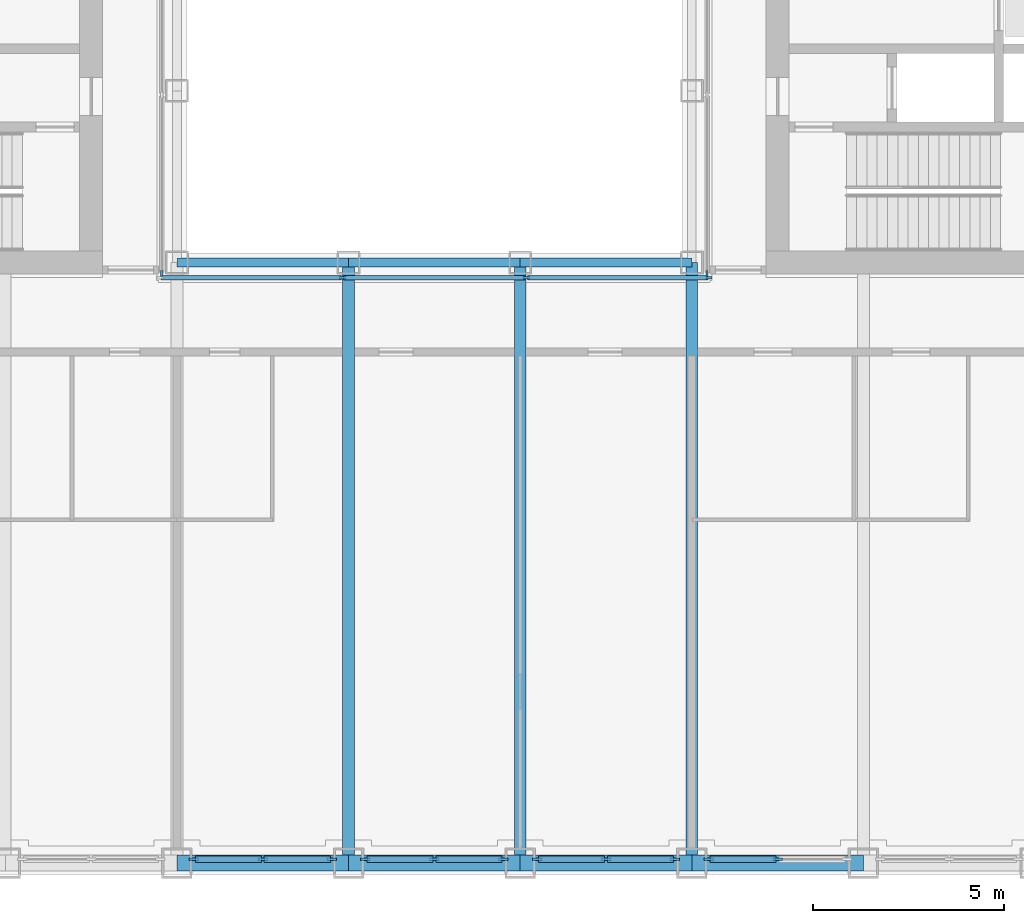
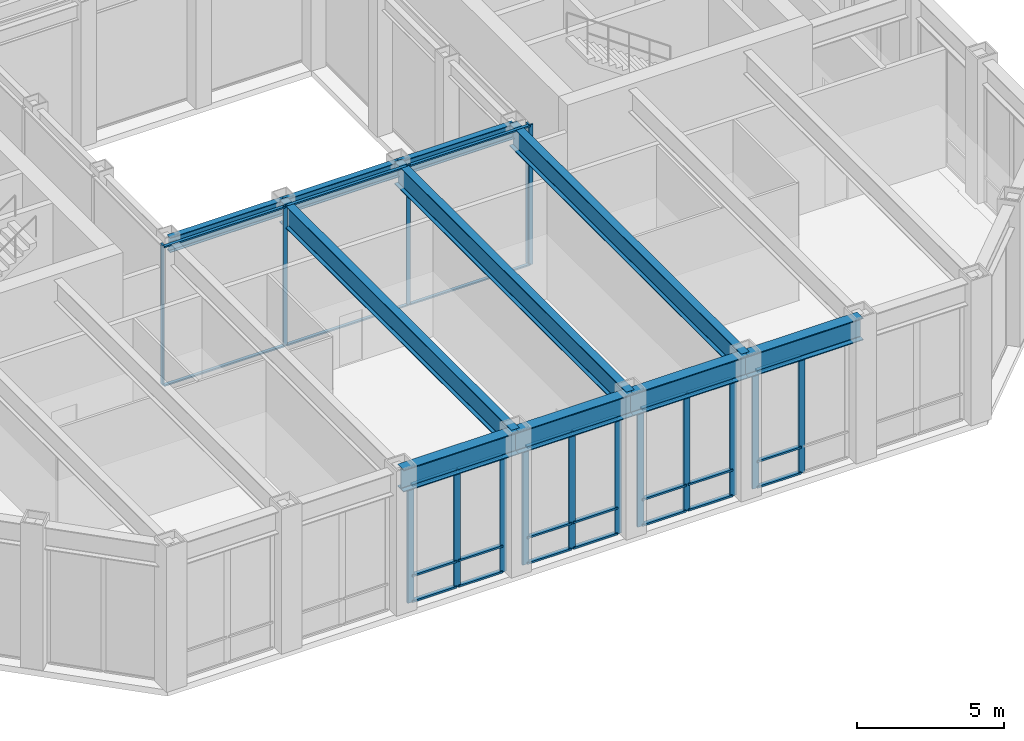
# One storey, part 3 of 22: 43 members, 10 beams, 7 elements without a shape of their own.
"""IFC4 building model written with IfcOpenShell, lengths in metres."""

from ifc_helpers import new_model, si_unit, direction, frame, origin, origin_2d, place, context, subcontext, project, spatial, rectangle, i_section, extrude, material, material_profile, profile_set, type_object, element, aggregate, save


model = new_model("IFC4")

# Units and contexts
model_context = context("Model", 3, precision=1e-05, world=origin(), true_north=direction((0.0, 1.0)))
body_context = subcontext(model_context, "Body", "Model", "MODEL_VIEW")
ifc_project = project(units=[si_unit("LENGTHUNIT", "METRE"), si_unit("AREAUNIT", "SQUARE_METRE"), si_unit("VOLUMEUNIT", "CUBIC_METRE"), si_unit("PLANEANGLEUNIT", "RADIAN"), si_unit("MASSUNIT", "GRAM", prefix="KILO")], contexts=[model_context])

# Site, building, storey
site_placement = place(None, origin())
site = spatial("IfcSite", under=ifc_project, at=site_placement, CompositionType="ELEMENT")
building_placement = place(site_placement, origin())
building = spatial("IfcBuilding", under=site, at=building_placement, Name="Msasa Ring Tower", CompositionType="ELEMENT")
storey_placement = place(building_placement, frame((0.0, 0.0, 112.39990234375)))
storey = spatial("IfcBuildingStorey", under=building, at=storey_placement, Name="L29", CompositionType="ELEMENT", Elevation=112.39990234375)

# Curtain wall, members
ifc_material_1 = material(Name="Aluminium curtain wall with clear glass", Category="aluminium")
curtain_wall_type_1 = type_object("IfcCurtainWallType", Name="CW-S SKY LOBBY CURTAIN WALL", PredefinedType="NOTDEFINED", material=ifc_material_1)
curtain_wall_1_placement = place(storey_placement, origin())
curtain_wall_1 = element("IfcCurtainWall", 1, at=curtain_wall_1_placement, inside=storey, type_object=curtain_wall_type_1, Name="Sky lobby curtain wall S L29", PredefinedType="NOTDEFINED")
ifc_material_2 = material(Name="Aluminium mullion", Category="aluminium")
ifc_material_profile_1 = material_profile(ifc_material_2, rectangle(XDim=0.074951171875, YDim=0.25, at=origin_2d()), Name="AL 75x250")
ifc_profile_set_1 = profile_set([ifc_material_profile_1], Name="Aluminium mullion")
member_type_1 = type_object("IfcMemberType", Name="CW-S MULLION 75x250", PredefinedType="MULLION", material=ifc_profile_set_1)
member_1_placement = place(storey_placement, frame((-6.3076171875, -22.39990234375, 0.0), z_axis=(0.0, 0.0, 1.0), x_axis=(0.0, 1.0, 0.0)))
member_1 = element("IfcMember", 2, at=member_1_placement, type_object=member_type_1, Name="CW-S mullion 1", PredefinedType="MULLION", context=body_context, shape_type="SweptSolid", body=[
    extrude(rectangle(XDim=0.074951171875, YDim=0.25, at=origin_2d()), origin(), (0.0, 0.0, 1.0), 4.879150390625),
])
member_2_placement = place(storey_placement, frame((-4.5, -22.39990234375, 0.0), z_axis=(0.0, 0.0, 1.0), x_axis=(0.0, 1.0, 0.0)))
member_2 = element("IfcMember", 3, at=member_2_placement, type_object=member_type_1, Name="CW-S mullion 2", PredefinedType="MULLION", context=body_context, shape_type="SweptSolid", body=[
    extrude(rectangle(XDim=0.074951171875, YDim=0.25, at=origin_2d()), origin(), (0.0, 0.0, 1.0), 4.879150390625),
])
member_3_placement = place(storey_placement, frame((-2.6923828125, -22.39990234375, 0.0), z_axis=(0.0, 0.0, 1.0), x_axis=(0.0, 1.0, 0.0)))
member_3 = element("IfcMember", 4, at=member_3_placement, type_object=member_type_1, Name="CW-S mullion 3", PredefinedType="MULLION", context=body_context, shape_type="SweptSolid", body=[
    extrude(rectangle(XDim=0.074951171875, YDim=0.25, at=origin_2d()), origin(), (0.0, 0.0, 1.0), 4.879150390625),
])

curtain_wall_2_placement = place(storey_placement, origin())
curtain_wall_2 = element("IfcCurtainWall", 5, at=curtain_wall_2_placement, inside=storey, type_object=curtain_wall_type_1, Name="Sky lobby curtain wall S L29", PredefinedType="NOTDEFINED")
member_4_placement = place(storey_placement, frame((-1.8076171875, -22.39990234375, 0.0), z_axis=(0.0, 0.0, 1.0), x_axis=(0.0, 1.0, 0.0)))
member_4 = element("IfcMember", 6, at=member_4_placement, type_object=member_type_1, Name="CW-S mullion 1", PredefinedType="MULLION", context=body_context, shape_type="SweptSolid", body=[
    extrude(rectangle(XDim=0.074951171875, YDim=0.25, at=origin_2d()), origin(), (0.0, 0.0, 1.0), 4.879150390625),
])
member_5_placement = place(storey_placement, frame((0.0, -22.39990234375, 0.0), z_axis=(0.0, 0.0, 1.0), x_axis=(0.0, 1.0, 0.0)))
member_5 = element("IfcMember", 7, at=member_5_placement, type_object=member_type_1, Name="CW-S mullion 2", PredefinedType="MULLION", context=body_context, shape_type="SweptSolid", body=[
    extrude(rectangle(XDim=0.074951171875, YDim=0.25, at=origin_2d()), origin(), (0.0, 0.0, 1.0), 4.879150390625),
])
member_6_placement = place(storey_placement, frame((1.8076171875, -22.39990234375, 0.0), z_axis=(0.0, 0.0, 1.0), x_axis=(0.0, 1.0, 0.0)))
member_6 = element("IfcMember", 8, at=member_6_placement, type_object=member_type_1, Name="CW-S mullion 3", PredefinedType="MULLION", context=body_context, shape_type="SweptSolid", body=[
    extrude(rectangle(XDim=0.074951171875, YDim=0.25, at=origin_2d()), origin(), (0.0, 0.0, 1.0), 4.879150390625),
])

curtain_wall_3_placement = place(storey_placement, origin())
curtain_wall_3 = element("IfcCurtainWall", 9, at=curtain_wall_3_placement, inside=storey, type_object=curtain_wall_type_1, Name="Sky lobby curtain wall S L29", PredefinedType="NOTDEFINED")
member_7_placement = place(storey_placement, frame((2.6923828125, -22.39990234375, 0.0), z_axis=(0.0, 0.0, 1.0), x_axis=(0.0, 1.0, 0.0)))
member_7 = element("IfcMember", 10, at=member_7_placement, type_object=member_type_1, Name="CW-S mullion 1", PredefinedType="MULLION", context=body_context, shape_type="SweptSolid", body=[
    extrude(rectangle(XDim=0.074951171875, YDim=0.25, at=origin_2d()), origin(), (0.0, 0.0, 1.0), 4.879150390625),
])
member_8_placement = place(storey_placement, frame((4.5, -22.39990234375, 0.0), z_axis=(0.0, 0.0, 1.0), x_axis=(0.0, 1.0, 0.0)))
member_8 = element("IfcMember", 11, at=member_8_placement, type_object=member_type_1, Name="CW-S mullion 2", PredefinedType="MULLION", context=body_context, shape_type="SweptSolid", body=[
    extrude(rectangle(XDim=0.074951171875, YDim=0.25, at=origin_2d()), origin(), (0.0, 0.0, 1.0), 4.879150390625),
])
member_9_placement = place(storey_placement, frame((6.3076171875, -22.39990234375, 0.0), z_axis=(0.0, 0.0, 1.0), x_axis=(0.0, 1.0, 0.0)))
member_9 = element("IfcMember", 12, at=member_9_placement, type_object=member_type_1, Name="CW-S mullion 3", PredefinedType="MULLION", context=body_context, shape_type="SweptSolid", body=[
    extrude(rectangle(XDim=0.074951171875, YDim=0.25, at=origin_2d()), origin(), (0.0, 0.0, 1.0), 4.879150390625),
])

curtain_wall_4_placement = place(storey_placement, origin())
curtain_wall_4 = element("IfcCurtainWall", 13, at=curtain_wall_4_placement, inside=storey, type_object=curtain_wall_type_1, Name="Sky lobby curtain wall S L29", PredefinedType="NOTDEFINED")
member_10_placement = place(storey_placement, frame((7.1923828125, -22.39990234375, 0.0), z_axis=(0.0, 0.0, 1.0), x_axis=(0.0, 1.0, 0.0)))
member_10 = element("IfcMember", 14, at=member_10_placement, type_object=member_type_1, Name="CW-S mullion 1", PredefinedType="MULLION", context=body_context, shape_type="SweptSolid", body=[
    extrude(rectangle(XDim=0.074951171875, YDim=0.25, at=origin_2d()), origin(), (0.0, 0.0, 1.0), 4.879150390625),
])
member_11_placement = place(storey_placement, frame((9.0, -22.39990234375, 0.0), z_axis=(0.0, 0.0, 1.0), x_axis=(0.0, 1.0, 0.0)))
member_11 = element("IfcMember", 15, at=member_11_placement, type_object=member_type_1, Name="CW-S mullion 2", PredefinedType="MULLION", context=body_context, shape_type="SweptSolid", body=[
    extrude(rectangle(XDim=0.074951171875, YDim=0.25, at=origin_2d()), origin(), (0.0, 0.0, 1.0), 4.879150390625),
])

# Member
ifc_material_3 = material(Name="Aluminium transom", Category="aluminium")
ifc_material_profile_2 = material_profile(ifc_material_3, rectangle(XDim=0.159912109375, YDim=0.074951171875, at=origin_2d()), Name="AL 75x160")
ifc_profile_set_2 = profile_set([ifc_material_profile_2], Name="Aluminium transom")
member_type_2 = type_object("IfcMemberType", Name="CW-S TRANSOM 75x160", PredefinedType="USERDEFINED", material=ifc_profile_set_2)
member_12_placement = place(storey_placement, frame((-6.27001953125, -22.39990234375, 0.03759765625), z_axis=(1.0, 0.0, 0.0), x_axis=(0.0, 1.0, 0.0)))
member_12 = element("IfcMember", 16, at=member_12_placement, type_object=member_type_2, Name="CW-S transom 1.1", ObjectType="TRANSOM", PredefinedType="USERDEFINED", context=body_context, shape_type="SweptSolid", body=[
    extrude(rectangle(XDim=0.159912109375, YDim=0.074951171875, at=origin_2d()), origin(), (0.0, 0.0, 1.0), 1.732421875),
])

member_13_placement = place(storey_placement, frame((-6.27001953125, -22.39990234375, 1.10009765625), z_axis=(1.0, 0.0, 0.0), x_axis=(0.0, 1.0, 0.0)))
member_13 = element("IfcMember", 17, at=member_13_placement, type_object=member_type_2, Name="CW-S transom 1.2", ObjectType="TRANSOM", PredefinedType="USERDEFINED", context=body_context, shape_type="SweptSolid", body=[
    extrude(rectangle(XDim=0.159912109375, YDim=0.074951171875, at=origin_2d()), origin(), (0.0, 0.0, 1.0), 1.732421875),
])

member_14_placement = place(storey_placement, frame((-6.27001953125, -22.39990234375, 4.841552734375), z_axis=(1.0, 0.0, 0.0), x_axis=(0.0, 1.0, 0.0)))
member_14 = element("IfcMember", 18, at=member_14_placement, type_object=member_type_2, Name="CW-S transom 1.3", ObjectType="TRANSOM", PredefinedType="USERDEFINED", context=body_context, shape_type="SweptSolid", body=[
    extrude(rectangle(XDim=0.159912109375, YDim=0.074951171875, at=origin_2d()), origin(), (0.0, 0.0, 1.0), 1.732421875),
])

member_15_placement = place(storey_placement, frame((-4.46240234375, -22.39990234375, 0.03759765625), z_axis=(1.0, 0.0, 0.0), x_axis=(0.0, 1.0, 0.0)))
member_15 = element("IfcMember", 19, at=member_15_placement, type_object=member_type_2, Name="CW-S transom 2.1", ObjectType="TRANSOM", PredefinedType="USERDEFINED", context=body_context, shape_type="SweptSolid", body=[
    extrude(rectangle(XDim=0.159912109375, YDim=0.074951171875, at=origin_2d()), origin(), (0.0, 0.0, 1.0), 1.732421875),
])

member_16_placement = place(storey_placement, frame((-4.46240234375, -22.39990234375, 1.10009765625), z_axis=(1.0, 0.0, 0.0), x_axis=(0.0, 1.0, 0.0)))
member_16 = element("IfcMember", 20, at=member_16_placement, type_object=member_type_2, Name="CW-S transom 2.2", ObjectType="TRANSOM", PredefinedType="USERDEFINED", context=body_context, shape_type="SweptSolid", body=[
    extrude(rectangle(XDim=0.159912109375, YDim=0.074951171875, at=origin_2d()), origin(), (0.0, 0.0, 1.0), 1.732421875),
])

member_17_placement = place(storey_placement, frame((-4.46240234375, -22.39990234375, 4.841552734375), z_axis=(1.0, 0.0, 0.0), x_axis=(0.0, 1.0, 0.0)))
member_17 = element("IfcMember", 21, at=member_17_placement, type_object=member_type_2, Name="CW-S transom 2.3", ObjectType="TRANSOM", PredefinedType="USERDEFINED", context=body_context, shape_type="SweptSolid", body=[
    extrude(rectangle(XDim=0.159912109375, YDim=0.074951171875, at=origin_2d()), origin(), (0.0, 0.0, 1.0), 1.732421875),
])

aggregate(curtain_wall_1, [member_1, member_2, member_3, member_12, member_13, member_14, member_15, member_16, member_17])

member_18_placement = place(storey_placement, frame((-1.77001953125, -22.39990234375, 0.03759765625), z_axis=(1.0, 0.0, 0.0), x_axis=(0.0, 1.0, 0.0)))
member_18 = element("IfcMember", 22, at=member_18_placement, type_object=member_type_2, Name="CW-S transom 1.1", ObjectType="TRANSOM", PredefinedType="USERDEFINED", context=body_context, shape_type="SweptSolid", body=[
    extrude(rectangle(XDim=0.159912109375, YDim=0.074951171875, at=origin_2d()), origin(), (0.0, 0.0, 1.0), 1.732421875),
])

member_19_placement = place(storey_placement, frame((-1.77001953125, -22.39990234375, 1.10009765625), z_axis=(1.0, 0.0, 0.0), x_axis=(0.0, 1.0, 0.0)))
member_19 = element("IfcMember", 23, at=member_19_placement, type_object=member_type_2, Name="CW-S transom 1.2", ObjectType="TRANSOM", PredefinedType="USERDEFINED", context=body_context, shape_type="SweptSolid", body=[
    extrude(rectangle(XDim=0.159912109375, YDim=0.074951171875, at=origin_2d()), origin(), (0.0, 0.0, 1.0), 1.732421875),
])

member_20_placement = place(storey_placement, frame((-1.77001953125, -22.39990234375, 4.841552734375), z_axis=(1.0, 0.0, 0.0), x_axis=(0.0, 1.0, 0.0)))
member_20 = element("IfcMember", 24, at=member_20_placement, type_object=member_type_2, Name="CW-S transom 1.3", ObjectType="TRANSOM", PredefinedType="USERDEFINED", context=body_context, shape_type="SweptSolid", body=[
    extrude(rectangle(XDim=0.159912109375, YDim=0.074951171875, at=origin_2d()), origin(), (0.0, 0.0, 1.0), 1.732421875),
])

member_21_placement = place(storey_placement, frame((0.03759765625, -22.39990234375, 0.03759765625), z_axis=(1.0, 0.0, 0.0), x_axis=(0.0, 1.0, 0.0)))
member_21 = element("IfcMember", 25, at=member_21_placement, type_object=member_type_2, Name="CW-S transom 2.1", ObjectType="TRANSOM", PredefinedType="USERDEFINED", context=body_context, shape_type="SweptSolid", body=[
    extrude(rectangle(XDim=0.159912109375, YDim=0.074951171875, at=origin_2d()), origin(), (0.0, 0.0, 1.0), 1.732421875),
])

member_22_placement = place(storey_placement, frame((0.03759765625, -22.39990234375, 1.10009765625), z_axis=(1.0, 0.0, 0.0), x_axis=(0.0, 1.0, 0.0)))
member_22 = element("IfcMember", 26, at=member_22_placement, type_object=member_type_2, Name="CW-S transom 2.2", ObjectType="TRANSOM", PredefinedType="USERDEFINED", context=body_context, shape_type="SweptSolid", body=[
    extrude(rectangle(XDim=0.159912109375, YDim=0.074951171875, at=origin_2d()), origin(), (0.0, 0.0, 1.0), 1.732421875),
])

member_23_placement = place(storey_placement, frame((0.03759765625, -22.39990234375, 4.841552734375), z_axis=(1.0, 0.0, 0.0), x_axis=(0.0, 1.0, 0.0)))
member_23 = element("IfcMember", 27, at=member_23_placement, type_object=member_type_2, Name="CW-S transom 2.3", ObjectType="TRANSOM", PredefinedType="USERDEFINED", context=body_context, shape_type="SweptSolid", body=[
    extrude(rectangle(XDim=0.159912109375, YDim=0.074951171875, at=origin_2d()), origin(), (0.0, 0.0, 1.0), 1.732421875),
])

aggregate(curtain_wall_2, [member_4, member_5, member_6, member_18, member_19, member_20, member_21, member_22, member_23])

member_24_placement = place(storey_placement, frame((2.72998046875, -22.39990234375, 0.03759765625), z_axis=(1.0, 0.0, 0.0), x_axis=(0.0, 1.0, 0.0)))
member_24 = element("IfcMember", 28, at=member_24_placement, type_object=member_type_2, Name="CW-S transom 1.1", ObjectType="TRANSOM", PredefinedType="USERDEFINED", context=body_context, shape_type="SweptSolid", body=[
    extrude(rectangle(XDim=0.159912109375, YDim=0.074951171875, at=origin_2d()), origin(), (0.0, 0.0, 1.0), 1.732421875),
])

member_25_placement = place(storey_placement, frame((2.72998046875, -22.39990234375, 1.10009765625), z_axis=(1.0, 0.0, 0.0), x_axis=(0.0, 1.0, 0.0)))
member_25 = element("IfcMember", 29, at=member_25_placement, type_object=member_type_2, Name="CW-S transom 1.2", ObjectType="TRANSOM", PredefinedType="USERDEFINED", context=body_context, shape_type="SweptSolid", body=[
    extrude(rectangle(XDim=0.159912109375, YDim=0.074951171875, at=origin_2d()), origin(), (0.0, 0.0, 1.0), 1.732421875),
])

member_26_placement = place(storey_placement, frame((2.72998046875, -22.39990234375, 4.841552734375), z_axis=(1.0, 0.0, 0.0), x_axis=(0.0, 1.0, 0.0)))
member_26 = element("IfcMember", 30, at=member_26_placement, type_object=member_type_2, Name="CW-S transom 1.3", ObjectType="TRANSOM", PredefinedType="USERDEFINED", context=body_context, shape_type="SweptSolid", body=[
    extrude(rectangle(XDim=0.159912109375, YDim=0.074951171875, at=origin_2d()), origin(), (0.0, 0.0, 1.0), 1.732421875),
])

member_27_placement = place(storey_placement, frame((4.53759765625, -22.39990234375, 0.03759765625), z_axis=(1.0, 0.0, 0.0), x_axis=(0.0, 1.0, 0.0)))
member_27 = element("IfcMember", 31, at=member_27_placement, type_object=member_type_2, Name="CW-S transom 2.1", ObjectType="TRANSOM", PredefinedType="USERDEFINED", context=body_context, shape_type="SweptSolid", body=[
    extrude(rectangle(XDim=0.159912109375, YDim=0.074951171875, at=origin_2d()), origin(), (0.0, 0.0, 1.0), 1.732421875),
])

member_28_placement = place(storey_placement, frame((4.53759765625, -22.39990234375, 1.10009765625), z_axis=(1.0, 0.0, 0.0), x_axis=(0.0, 1.0, 0.0)))
member_28 = element("IfcMember", 32, at=member_28_placement, type_object=member_type_2, Name="CW-S transom 2.2", ObjectType="TRANSOM", PredefinedType="USERDEFINED", context=body_context, shape_type="SweptSolid", body=[
    extrude(rectangle(XDim=0.159912109375, YDim=0.074951171875, at=origin_2d()), origin(), (0.0, 0.0, 1.0), 1.732421875),
])

member_29_placement = place(storey_placement, frame((4.53759765625, -22.39990234375, 4.841552734375), z_axis=(1.0, 0.0, 0.0), x_axis=(0.0, 1.0, 0.0)))
member_29 = element("IfcMember", 33, at=member_29_placement, type_object=member_type_2, Name="CW-S transom 2.3", ObjectType="TRANSOM", PredefinedType="USERDEFINED", context=body_context, shape_type="SweptSolid", body=[
    extrude(rectangle(XDim=0.159912109375, YDim=0.074951171875, at=origin_2d()), origin(), (0.0, 0.0, 1.0), 1.732421875),
])

aggregate(curtain_wall_3, [member_7, member_8, member_9, member_24, member_25, member_26, member_27, member_28, member_29])

member_30_placement = place(storey_placement, frame((7.22998046875, -22.39990234375, 0.03759765625), z_axis=(1.0, 0.0, 0.0), x_axis=(0.0, 1.0, 0.0)))
member_30 = element("IfcMember", 34, at=member_30_placement, type_object=member_type_2, Name="CW-S transom 1.1", ObjectType="TRANSOM", PredefinedType="USERDEFINED", context=body_context, shape_type="SweptSolid", body=[
    extrude(rectangle(XDim=0.159912109375, YDim=0.074951171875, at=origin_2d()), origin(), (0.0, 0.0, 1.0), 1.732421875),
])

member_31_placement = place(storey_placement, frame((7.22998046875, -22.39990234375, 1.10009765625), z_axis=(1.0, 0.0, 0.0), x_axis=(0.0, 1.0, 0.0)))
member_31 = element("IfcMember", 35, at=member_31_placement, type_object=member_type_2, Name="CW-S transom 1.2", ObjectType="TRANSOM", PredefinedType="USERDEFINED", context=body_context, shape_type="SweptSolid", body=[
    extrude(rectangle(XDim=0.159912109375, YDim=0.074951171875, at=origin_2d()), origin(), (0.0, 0.0, 1.0), 1.732421875),
])

member_32_placement = place(storey_placement, frame((7.22998046875, -22.39990234375, 4.841552734375), z_axis=(1.0, 0.0, 0.0), x_axis=(0.0, 1.0, 0.0)))
member_32 = element("IfcMember", 36, at=member_32_placement, type_object=member_type_2, Name="CW-S transom 1.3", ObjectType="TRANSOM", PredefinedType="USERDEFINED", context=body_context, shape_type="SweptSolid", body=[
    extrude(rectangle(XDim=0.159912109375, YDim=0.074951171875, at=origin_2d()), origin(), (0.0, 0.0, 1.0), 1.732421875),
])

aggregate(curtain_wall_4, [member_10, member_11, member_30, member_31, member_32])

# Curtain wall, members
ifc_material_4 = material(Name="Aluminium curtain wall with clear glass", Category="aluminium")
curtain_wall_type_2 = type_object("IfcCurtainWallType", Name="CW-W LIGHT WELL CURTAIN WALL", PredefinedType="NOTDEFINED", material=ifc_material_4)
curtain_wall_5_placement = place(storey_placement, origin())
curtain_wall_5 = element("IfcCurtainWall", 37, at=curtain_wall_5_placement, inside=storey, type_object=curtain_wall_type_2, Name="Light well curtain wall S L29", PredefinedType="NOTDEFINED")
ifc_material_5 = material(Name="Aluminium mullion", Category="aluminium")
ifc_material_profile_3 = material_profile(ifc_material_5, rectangle(XDim=0.06005859375, YDim=0.159912109375, at=origin_2d()), Name="AL 60x160")
ifc_profile_set_3 = profile_set([ifc_material_profile_3], Name="Aluminium mullion")
member_type_3 = type_object("IfcMemberType", Name="CW-W MULLION 60x160", PredefinedType="MULLION", material=ifc_profile_set_3)
member_33_placement = place(storey_placement, frame((-2.409912109375, -7.14990234375, 0.0), z_axis=(0.0, 0.0, 1.0), x_axis=(0.0, 1.0, 0.0)))
member_33 = element("IfcMember", 38, at=member_33_placement, type_object=member_type_3, Name="CW-W mullion 2", PredefinedType="MULLION", context=body_context, shape_type="SweptSolid", body=[
    extrude(rectangle(XDim=0.06005859375, YDim=0.159912109375, at=origin_2d()), origin(), (0.0, 0.0, 1.0), 5.800048828125),
])
member_34_placement = place(storey_placement, frame((2.409912109375, -7.14990234375, 0.0), z_axis=(0.0, 0.0, 1.0), x_axis=(0.0, 1.0, 0.0)))
member_34 = element("IfcMember", 39, at=member_34_placement, type_object=member_type_3, Name="CW-W mullion 3", PredefinedType="MULLION", context=body_context, shape_type="SweptSolid", body=[
    extrude(rectangle(XDim=0.06005859375, YDim=0.159912109375, at=origin_2d()), origin(), (0.0, 0.0, 1.0), 5.800048828125),
])
member_35_placement = place(storey_placement, frame((7.199951171875, -7.14990234375, 0.0), z_axis=(0.0, 0.0, 1.0), x_axis=(0.0, 1.0, 0.0)))
member_35 = element("IfcMember", 40, at=member_35_placement, type_object=member_type_3, Name="CW-W mullion 4", PredefinedType="MULLION", context=body_context, shape_type="SweptSolid", body=[
    extrude(rectangle(XDim=0.06005859375, YDim=0.159912109375, at=origin_2d()), origin(), (0.0, 0.0, 1.0), 5.800048828125),
])

# Curtain wall, member
curtain_wall_6_placement = place(storey_placement, origin())
curtain_wall_6 = element("IfcCurtainWall", 41, at=curtain_wall_6_placement, inside=storey, type_object=curtain_wall_type_2, Name="Light well curtain wall E L29", PredefinedType="NOTDEFINED")
member_36_placement = place(storey_placement, frame((7.14990234375, -7.0400390625, 0.0), z_axis=(0.0, 0.0, 1.0), x_axis=(-1.0, 0.0, 0.0)))
member_36 = element("IfcMember", 42, at=member_36_placement, type_object=member_type_3, Name="CW-W mullion 1", PredefinedType="MULLION", context=body_context, shape_type="SweptSolid", body=[
    extrude(rectangle(XDim=0.06005859375, YDim=0.159912109375, at=origin_2d()), origin(), (0.0, 0.0, 1.0), 5.800048828125),
])
aggregate(curtain_wall_6, [member_36])

curtain_wall_7_placement = place(storey_placement, origin())
curtain_wall_7 = element("IfcCurtainWall", 43, at=curtain_wall_7_placement, inside=storey, type_object=curtain_wall_type_2, Name="Light well curtain wall W L29", PredefinedType="NOTDEFINED")
member_37_placement = place(storey_placement, frame((-7.14990234375, -7.0400390625, 0.0), z_axis=(0.0, 0.0, 1.0), x_axis=(-1.0, 0.0, 0.0)))
member_37 = element("IfcMember", 44, at=member_37_placement, type_object=member_type_3, Name="CW-W mullion 1", PredefinedType="MULLION", context=body_context, shape_type="SweptSolid", body=[
    extrude(rectangle(XDim=0.06005859375, YDim=0.159912109375, at=origin_2d()), origin(), (0.0, 0.0, 1.0), 5.800048828125),
])
aggregate(curtain_wall_7, [member_37])

# Member
ifc_material_6 = material(Name="Aluminium transom", Category="aluminium")
ifc_material_profile_4 = material_profile(ifc_material_6, rectangle(XDim=0.1201171875, YDim=0.06005859375, at=origin_2d()), Name="AL 60x120")
ifc_profile_set_4 = profile_set([ifc_material_profile_4], Name="Aluminium transom")
member_type_4 = type_object("IfcMemberType", Name="CW-W TRANSOM 60x120", PredefinedType="USERDEFINED", material=ifc_profile_set_4)
member_38_placement = place(storey_placement, frame((-7.169921875, -7.14990234375, 0.030029296875), z_axis=(1.0, 0.0, 0.0), x_axis=(0.0, 1.0, 0.0)))
member_38 = element("IfcMember", 45, at=member_38_placement, type_object=member_type_4, Name="CW-W transom 1.1", ObjectType="TRANSOM", PredefinedType="USERDEFINED", context=body_context, shape_type="SweptSolid", body=[
    extrude(rectangle(XDim=0.1201171875, YDim=0.06005859375, at=origin_2d()), origin(), (0.0, 0.0, 1.0), 4.72998046875),
])

member_39_placement = place(storey_placement, frame((-7.169921875, -7.14990234375, 5.77001953125), z_axis=(1.0, 0.0, 0.0), x_axis=(0.0, 1.0, 0.0)))
member_39 = element("IfcMember", 46, at=member_39_placement, type_object=member_type_4, Name="CW-W transom 1.2", ObjectType="TRANSOM", PredefinedType="USERDEFINED", context=body_context, shape_type="SweptSolid", body=[
    extrude(rectangle(XDim=0.1201171875, YDim=0.06005859375, at=origin_2d()), origin(), (0.0, 0.0, 1.0), 4.72998046875),
])

member_40_placement = place(storey_placement, frame((-2.3798828125, -7.14990234375, 0.030029296875), z_axis=(1.0, 0.0, 0.0), x_axis=(0.0, 1.0, 0.0)))
member_40 = element("IfcMember", 47, at=member_40_placement, type_object=member_type_4, Name="CW-W transom 2.1", ObjectType="TRANSOM", PredefinedType="USERDEFINED", context=body_context, shape_type="SweptSolid", body=[
    extrude(rectangle(XDim=0.1201171875, YDim=0.06005859375, at=origin_2d()), origin(), (0.0, 0.0, 1.0), 4.759765625),
])

member_41_placement = place(storey_placement, frame((-2.3798828125, -7.14990234375, 5.77001953125), z_axis=(1.0, 0.0, 0.0), x_axis=(0.0, 1.0, 0.0)))
member_41 = element("IfcMember", 48, at=member_41_placement, type_object=member_type_4, Name="CW-W transom 2.2", ObjectType="TRANSOM", PredefinedType="USERDEFINED", context=body_context, shape_type="SweptSolid", body=[
    extrude(rectangle(XDim=0.1201171875, YDim=0.06005859375, at=origin_2d()), origin(), (0.0, 0.0, 1.0), 4.759765625),
])

member_42_placement = place(storey_placement, frame((2.43994140625, -7.14990234375, 0.030029296875), z_axis=(1.0, 0.0, 0.0), x_axis=(0.0, 1.0, 0.0)))
member_42 = element("IfcMember", 49, at=member_42_placement, type_object=member_type_4, Name="CW-W transom 3.1", ObjectType="TRANSOM", PredefinedType="USERDEFINED", context=body_context, shape_type="SweptSolid", body=[
    extrude(rectangle(XDim=0.1201171875, YDim=0.06005859375, at=origin_2d()), origin(), (0.0, 0.0, 1.0), 4.72998046875),
])

member_43_placement = place(storey_placement, frame((2.43994140625, -7.14990234375, 5.77001953125), z_axis=(1.0, 0.0, 0.0), x_axis=(0.0, 1.0, 0.0)))
member_43 = element("IfcMember", 50, at=member_43_placement, type_object=member_type_4, Name="CW-W transom 3.2", ObjectType="TRANSOM", PredefinedType="USERDEFINED", context=body_context, shape_type="SweptSolid", body=[
    extrude(rectangle(XDim=0.1201171875, YDim=0.06005859375, at=origin_2d()), origin(), (0.0, 0.0, 1.0), 4.72998046875),
])

aggregate(curtain_wall_5, [member_33, member_34, member_35, member_38, member_39, member_40, member_41, member_42, member_43])

# Beams
ifc_material_7 = material(Name="Steel S355", Category="steel")
ifc_material_profile_5 = material_profile(ifc_material_7, i_section(OverallWidth=0.3076171875, OverallDepth=0.926513671875, WebThickness=0.01953125, FlangeThickness=0.031982421875, FilletRadius=0.01904296875, at=origin_2d()), Name="UB 914x305x289")
ifc_profile_set_5 = profile_set([ifc_material_profile_5], Name="Steel S355")
beam_type_1 = type_object("IfcBeamType", Name="FB3 UB 914x305x289", PredefinedType="BEAM", material=ifc_profile_set_5)
for number, where, z_axis, x_axis, name in (
    (51, (-2.25, -22.5, 5.3369140625), (0.0, 1.0, 0.0), (-1.0, 0.0, 0.0), "Floor beam S-2.25 under L30"),
    (52, (2.25, -22.5, 5.3369140625), (0.0, 1.0, 0.0), (-1.0, 0.0, 0.0), "Floor beam S+2.25 under L30"),
    (53, (6.75, -22.5, 5.3369140625), (0.0, 1.0, 0.0), (-1.0, 0.0, 0.0), "Floor beam S+6.75 under L30"),
):
    element("IfcBeam", number, at=place(storey_placement, frame(where, z_axis=z_axis, x_axis=x_axis)), inside=storey, type_object=beam_type_1, Name=name, PredefinedType="BEAM", context=body_context, shape_type="SweptSolid", body=[
        extrude(i_section(OverallWidth=0.3076171875, OverallDepth=0.926513671875, WebThickness=0.01953125, FlangeThickness=0.031982421875, FilletRadius=0.01904296875, at=origin_2d()), origin(), (0.0, 0.0, 1.0), 15.75),
    ])
ifc_material_8 = material(Name="Steel S355", Category="steel")
ifc_material_profile_6 = material_profile(ifc_material_8, i_section(OverallWidth=0.230224609375, OverallDepth=0.6171875, WebThickness=0.01318359375, FlangeThickness=0.022216796875, FilletRadius=0.0126953125, at=origin_2d()), Name="UB 610x229x140")
ifc_profile_set_6 = profile_set([ifc_material_profile_6], Name="Steel S355")
beam_type_2 = type_object("IfcBeamType", Name="RB1 UB 610x229x140", PredefinedType="BEAM", material=ifc_profile_set_6)
for number, where, z_axis, x_axis, name in (
    (54, (-6.75, -6.75, 5.491455078125), (1.0, 0.0, 0.0), (0.0, 1.0, 0.0), "Inner ring beam IR-6.75-6.75 under L30"),
    (55, (-2.25, -6.75, 5.491455078125), (1.0, 0.0, 0.0), (0.0, 1.0, 0.0), "Inner ring beam IR-2.25-6.75 under L30"),
    (56, (2.25, -6.75, 5.491455078125), (1.0, 0.0, 0.0), (0.0, 1.0, 0.0), "Inner ring beam IR+2.25-6.75 under L30"),
):
    element("IfcBeam", number, at=place(storey_placement, frame(where, z_axis=z_axis, x_axis=x_axis)), inside=storey, type_object=beam_type_2, Name=name, PredefinedType="BEAM", context=body_context, shape_type="SweptSolid", body=[
        extrude(i_section(OverallWidth=0.230224609375, OverallDepth=0.6171875, WebThickness=0.01318359375, FlangeThickness=0.022216796875, FilletRadius=0.0126953125, at=origin_2d()), origin(), (0.0, 0.0, 1.0), 4.5),
    ])
ifc_material_9 = material(Name="Steel S355", Category="steel")
ifc_material_profile_7 = material_profile(ifc_material_9, i_section(OverallWidth=0.42041015625, OverallDepth=0.9208984375, WebThickness=0.021484375, FlangeThickness=0.03662109375, FilletRadius=0.024169921875, at=origin_2d()), Name="UB 914x419x388")
ifc_profile_set_7 = profile_set([ifc_material_profile_7], Name="Steel S355")
beam_type_3 = type_object("IfcBeamType", Name="SB1 UB 914x419x388", PredefinedType="SPANDREL", material=ifc_profile_set_7)
for number, where, z_axis, x_axis, name in (
    (57, (-6.75, -22.5, 5.339599609375), (1.0, 0.0, 0.0), (0.0, 1.0, 0.0), "Spandrel S-6.75 to S-2.25 under L30"),
    (58, (-2.25, -22.5, 5.339599609375), (1.0, 0.0, 0.0), (0.0, 1.0, 0.0), "Spandrel S-2.25 to S+2.25 under L30"),
    (59, (2.25, -22.5, 5.339599609375), (1.0, 0.0, 0.0), (0.0, 1.0, 0.0), "Spandrel S+2.25 to S+6.75 under L30"),
    (60, (6.75, -22.5, 5.339599609375), (1.0, 0.0, 0.0), (0.0, 1.0, 0.0), "Spandrel S+6.75 to S+11.25 under L30"),
):
    element("IfcBeam", number, at=place(storey_placement, frame(where, z_axis=z_axis, x_axis=x_axis)), inside=storey, type_object=beam_type_3, Name=name, PredefinedType="SPANDREL", context=body_context, shape_type="SweptSolid", body=[
        extrude(i_section(OverallWidth=0.42041015625, OverallDepth=0.9208984375, WebThickness=0.021484375, FlangeThickness=0.03662109375, FilletRadius=0.024169921875, at=origin_2d()), origin(), (0.0, 0.0, 1.0), 4.5),
    ])

save(model, "model.ifc")
